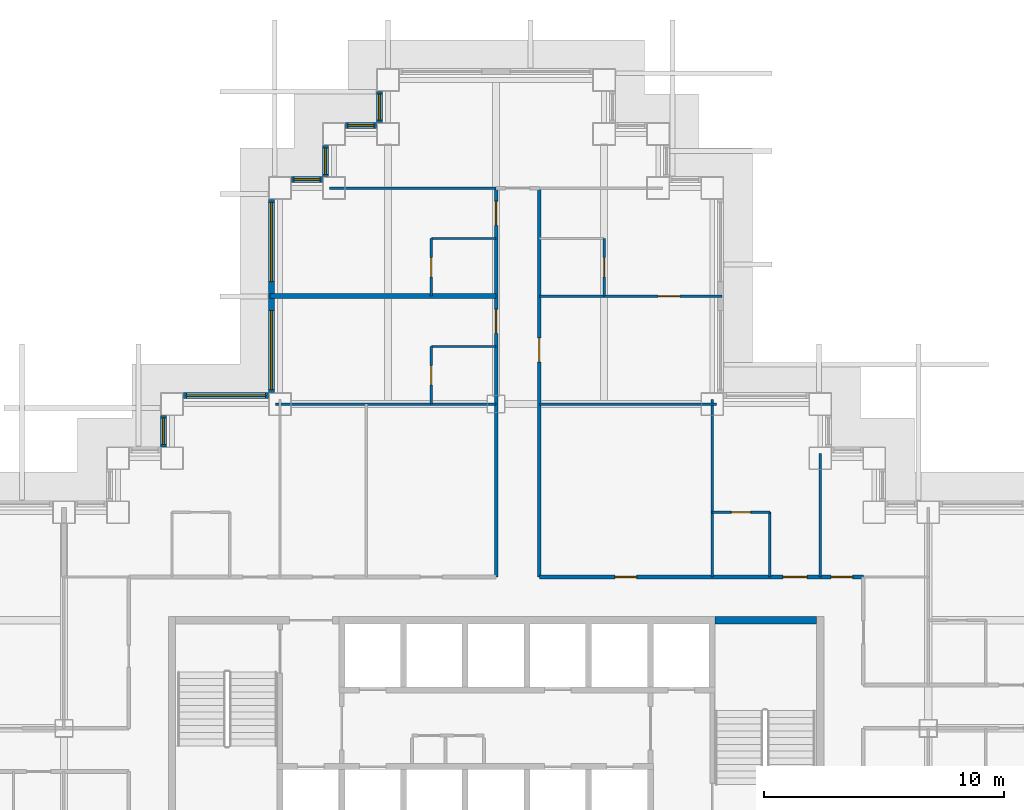
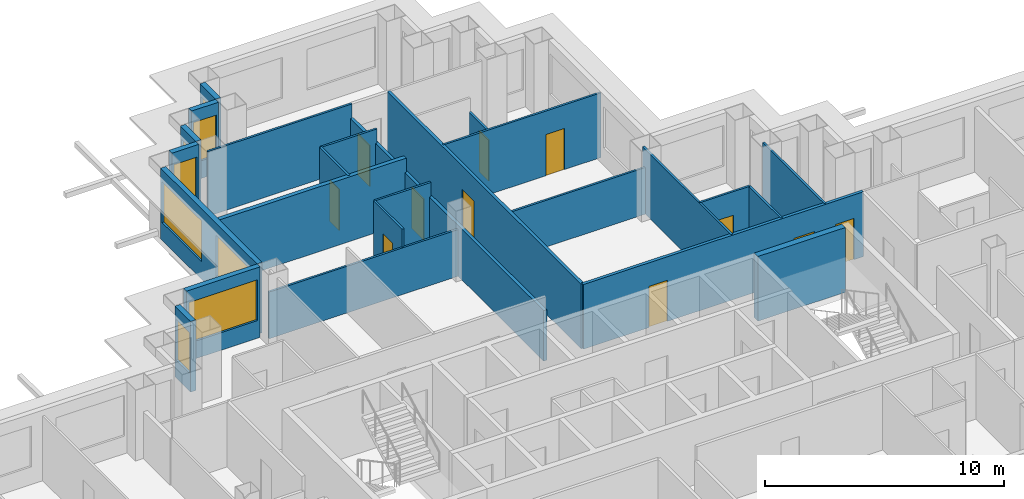
# One storey, part 8 of 15: 25 walls, 11 doors, 8 windows, 19 openings.
"""IFC4 building model written with IfcOpenShell, lengths in metres."""

import ifcopenshell
import ifcopenshell.guid

model = None  # the IFC model being written
_history = None  # IfcOwnerHistory: only IFC2X3 demands one
_inside = {}  # id of a spatial element -> (the spatial element, [elements in it])
_under = {}  # id of a project, library or spatial element -> (it, [spatial elements below it])
_declared = {}  # id of a project -> (the project, [libraries it declares])
_typed = {}  # id of a type object -> (the type object, [elements of that type])
_made_of = {}  # id of a material, layer set ... -> (it, [elements and type objects made of it])


def new_model(schema):
    """Start an empty IFC model of exactly this schema.

    Asked for "IFC4X3", IfcOpenShell would pick the latest addendum, in which some entities
    have other attributes; the version numbers below select the first issue.
    IFC2X3 requires an IfcOwnerHistory on every rooted entity: one is made here for all.
    """
    global model, _history
    if schema == "IFC4X3":
        model = ifcopenshell.file(schema_version=(4, 3, 0, 0))
    else:
        model = ifcopenshell.file(schema=schema)
    _inside.clear()
    _under.clear()
    _declared.clear()
    _typed.clear()
    _made_of.clear()
    _history = None
    if model.schema == "IFC2X3":
        org = make("IfcOrganization", Name="unknown")
        user = make(
            "IfcPersonAndOrganization",
            ThePerson=make("IfcPerson", FamilyName="unknown"),
            TheOrganization=org,
        )
        app = make(
            "IfcApplication",
            ApplicationDeveloper=org,
            Version="unknown",
            ApplicationFullName="unknown",
            ApplicationIdentifier="unknown",
        )
        _history = make(
            "IfcOwnerHistory",
            OwningUser=user,
            OwningApplication=app,
            ChangeAction="ADDED",
            CreationDate=0,
        )
    return model


def make(cls, **values):
    """One entity of the class cls with the attributes given. An attribute that is None is left unset."""
    return model.create_entity(
        cls, **{name: value for name, value in values.items() if value is not None}
    )


def rooted(cls, **values):
    """An entity with a GlobalId (a new one), such as an element, a storey or a relation."""
    return make(cls, GlobalId=ifcopenshell.guid.new(), OwnerHistory=_history, **values)


def si_unit(unit_type, name, prefix=None):
    """IfcSIUnit, for example si_unit("LENGTHUNIT", "METRE", prefix="MILLI")."""
    return make("IfcSIUnit", UnitType=unit_type, Prefix=prefix, Name=name)


def assignment(units):
    """IfcUnitAssignment: the units of a project."""
    return None if units is None else make("IfcUnitAssignment", Units=units)


def point(xyz):
    """IfcCartesianPoint."""
    return None if xyz is None else make("IfcCartesianPoint", Coordinates=xyz)


def direction(xyz):
    """IfcDirection."""
    return None if xyz is None else make("IfcDirection", DirectionRatios=xyz)


def frame(location, z_axis=None, x_axis=None):
    """IfcAxis2Placement3D, a coordinate frame: its origin and axes. An axis left out is left unset."""
    return make(
        "IfcAxis2Placement3D",
        Location=point(location),
        Axis=direction(z_axis),
        RefDirection=direction(x_axis),
    )


def frame_2d(location, x_axis=None):
    """IfcAxis2Placement2D, a coordinate frame in the plane: its origin and x axis."""
    return make(
        "IfcAxis2Placement2D", Location=point(location), RefDirection=direction(x_axis)
    )


def origin():
    """The frame at (0, 0, 0) with its axes left unset."""
    return frame((0.0, 0.0, 0.0))


def place(relative_to, where):
    """IfcLocalPlacement: puts the frame where relative to a parent placement (None: the world)."""
    return make(
        "IfcLocalPlacement", PlacementRelTo=relative_to, RelativePlacement=where
    )


def context(
    kind, dimensions, precision=None, world=None, true_north=None, identifier=None
):
    """IfcGeometricRepresentationContext, for example the 3D "Model" context."""
    return make(
        "IfcGeometricRepresentationContext",
        ContextIdentifier=identifier,
        ContextType=kind,
        CoordinateSpaceDimension=dimensions,
        Precision=precision,
        WorldCoordinateSystem=world,
        TrueNorth=true_north,
    )


def subcontext(parent, identifier, kind, view, scale=None):
    """IfcGeometricRepresentationSubContext, for example "Body" below "Model"."""
    return make(
        "IfcGeometricRepresentationSubContext",
        ContextIdentifier=identifier,
        ContextType=kind,
        ParentContext=parent,
        TargetScale=scale,
        TargetView=view,
    )


def project(units=None, contexts=None):
    """IfcProject with its units and contexts."""
    return rooted(
        "IfcProject",
        Name="project",
        RepresentationContexts=contexts,
        UnitsInContext=assignment(units),
    )


def spatial(cls, under=None, at=None, **own):
    """A site, building, storey or space (cls), placed at a placement, below another one or the project."""
    s = rooted(cls, ObjectPlacement=at, **own)
    if under is not None:
        _under.setdefault(under.id(), (under, []))[1].append(s)
    return s


def profile(cls, at=None, kind="AREA", **sizes):
    """A parametric profile (cls). Its sizes go by their IFC names, for example OverallWidth=200.0."""
    return make(cls, ProfileType=kind, Position=at, **sizes)


def rectangle(**sizes):
    """IfcRectangleProfileDef."""
    return profile("IfcRectangleProfileDef", **sizes)


def extrude(swept, where, along, depth):
    """IfcExtrudedAreaSolid: the profile swept, set in the frame where, extruded along a direction by depth."""
    return make(
        "IfcExtrudedAreaSolid",
        SweptArea=swept,
        Position=where,
        ExtrudedDirection=direction(along),
        Depth=depth,
    )


def shape(context_of_items, identifier, shape_type, items):
    """IfcShapeRepresentation: the items that make up one representation, for example the "Body"."""
    return make(
        "IfcShapeRepresentation",
        ContextOfItems=context_of_items,
        RepresentationIdentifier=identifier,
        RepresentationType=shape_type,
        Items=items,
    )


def material(Name=None, Category=None):
    """IfcMaterial."""
    return make("IfcMaterial", Name=Name, Category=Category)


def layer(
    of_material, thickness, ventilated=None, Name=None, Category=None, Priority=None
):
    """IfcMaterialLayer: one layer of a wall or slab, of a material (None: an air gap)."""
    return make(
        "IfcMaterialLayer",
        Material=of_material,
        LayerThickness=thickness,
        IsVentilated=ventilated,
        Name=Name,
        Category=Category,
        Priority=Priority,
    )


def layer_set(layers, Name=None):
    """IfcMaterialLayerSet."""
    return make("IfcMaterialLayerSet", MaterialLayers=layers, LayerSetName=Name)


def made_of(thing, what):
    """Note that an element or type object is made of a material, layer set ...; save() writes the relation."""
    if what is not None:
        _made_of.setdefault(what.id(), (what, []))[1].append(thing)
    return thing


def type_object(cls, material=None, **own):
    """A type object (cls), such as IfcWallType, which elements share."""
    return made_of(rooted(cls, **own), material)


def element(
    cls,
    number,
    at=None,
    inside=None,
    cuts=None,
    type_object=None,
    material=None,
    context=None,
    identifier="Body",
    shape_type=None,
    held_by="IfcProductDefinitionShape",
    body=None,
    shapes=None,
    **own,
):
    """One element of the class cls, such as IfcWall. Its Tag is "e" and its number.

    at: its placement. inside: the storey or other place that contains it. cuts: it is an
    opening in that element (IfcRelVoidsElement). A single representation is given by context,
    identifier, shape_type and body (its items); several are given by shapes. held_by: the class
    of the entity that holds the representations. save() writes the other relations.
    """
    e = rooted(cls, Tag="e%d" % number, ObjectPlacement=at, **own)
    if body is not None:
        shapes = [shape(context, identifier, shape_type, body)]
    if shapes is not None:
        e.Representation = make(held_by, Representations=shapes)
    if inside is not None:
        _inside.setdefault(inside.id(), (inside, []))[1].append(e)
    if cuts is not None:
        rooted(
            "IfcRelVoidsElement", RelatingBuildingElement=cuts, RelatedOpeningElement=e
        )
    if type_object is not None:
        _typed.setdefault(type_object.id(), (type_object, []))[1].append(e)
    return made_of(e, material)


def fill(opening, filler):
    """IfcRelFillsElement: the door or window that sits in an opening."""
    return rooted(
        "IfcRelFillsElement",
        RelatingOpeningElement=opening,
        RelatedBuildingElement=filler,
    )


def aggregate(whole, parts):
    """IfcRelAggregates: a whole, such as a stair, and the parts it consists of."""
    return rooted("IfcRelAggregates", RelatingObject=whole, RelatedObjects=parts)


def save(model, path):
    """Write the relations noted so far, then the file.

    IfcRelAggregates (storeys below a building ...), IfcRelContainedInSpatialStructure (elements
    in a storey), IfcRelDefinesByType, IfcRelAssociatesMaterial and IfcRelDeclares: one each for
    every whole, place, type object, material and project.
    """
    for whole, parts in _under.values():
        aggregate(whole, parts)
    for where, things in _inside.values():
        rooted(
            "IfcRelContainedInSpatialStructure",
            RelatedElements=things,
            RelatingStructure=where,
        )
    for kind, things in _typed.values():
        rooted("IfcRelDefinesByType", RelatedObjects=things, RelatingType=kind)
    for what, things in _made_of.values():
        rooted("IfcRelAssociatesMaterial", RelatedObjects=things, RelatingMaterial=what)
    for by, libraries in _declared.values():
        rooted("IfcRelDeclares", RelatingContext=by, RelatedDefinitions=libraries)
    model.write(path)


model = new_model("IFC4")

# Units and contexts
model_context = context("Model", 3, precision=1e-05, world=origin(), true_north=direction((0.0, 1.0)))
body_context = subcontext(model_context, "Body", "Model", "MODEL_VIEW")
ifc_project = project(units=[si_unit("LENGTHUNIT", "METRE"), si_unit("AREAUNIT", "SQUARE_METRE"), si_unit("VOLUMEUNIT", "CUBIC_METRE"), si_unit("PLANEANGLEUNIT", "RADIAN"), si_unit("MASSUNIT", "GRAM", prefix="KILO")], contexts=[model_context])

# Site, building, storey
site_placement = place(None, origin())
site = spatial("IfcSite", under=ifc_project, at=site_placement, CompositionType="ELEMENT")
building_placement = place(site_placement, origin())
building = spatial("IfcBuilding", under=site, at=building_placement, Name="Caravel Reach Hotel and Residences", CompositionType="ELEMENT")
storey_placement = place(building_placement, frame((0.0, 0.0, 81.60009765625)))
storey = spatial("IfcBuildingStorey", under=building, at=storey_placement, Name="L19", CompositionType="ELEMENT", Elevation=81.60009765625)

# Wall, opening, door
ifc_material_1 = material(Name="Gypsum board on steel stud", Category="steel")
ifc_layer_1 = layer(ifc_material_1, 0.10009765625)
ifc_layer_set_1 = layer_set([ifc_layer_1], Name="Bathroom pod wall 100 mm")
wall_type_1 = type_object("IfcWallType", Name="Bathroom pod wall 100 mm", PredefinedType="PARTITIONING", material=ifc_layer_set_1)
wall_1_placement = place(storey_placement, frame((40.5, 36.0, 0.0), z_axis=(0.0, 0.0, 1.0), x_axis=(1.0, 0.0, 0.0)))
wall_1 = element("IfcWall", 1, at=wall_1_placement, inside=storey, type_object=wall_type_1, Name="L19 wall w096", PredefinedType="PARTITIONING", context=body_context, shape_type="SweptSolid", body=[
    extrude(rectangle(XDim=2.39990234375, YDim=0.10009765625, at=frame_2d((1.199951171875, 0.0))), origin(), (0.0, 0.0, 1.0), 3.2998046875),
])
opening_1_placement = place(wall_1_placement, frame((0.800048828125, 0.0, 0.0)))
opening_1 = element("IfcOpeningElement", 2, at=opening_1_placement, cuts=wall_1, Name="Opening D19-050", PredefinedType="OPENING", context=body_context, shape_type="SweptSolid", body=[
    extrude(rectangle(XDim=0.800048828125, YDim=2.10009765625, at=frame_2d((0.39990234375, 1.050048828125))), frame((0.0, 0.06005859375, 0.0), z_axis=(0.0, -1.0, 0.0), x_axis=(1.0, 0.0, 0.0)), (0.0, 0.0, 1.0), 0.1201171875),
])
ifc_material_2 = material(Name="Timber and steel door leaf", Category="steel")
door_type_1 = type_object("IfcDoorType", Name="Bathroom door 800 x 2100", OperationType="SINGLE_SWING_LEFT", PredefinedType="DOOR", material=ifc_material_2)
door_1_placement = place(opening_1_placement, origin())
door_1 = element("IfcDoor", 3, at=door_1_placement, inside=storey, type_object=door_type_1, Name="door D19-050", OperationType="SINGLE_SWING_RIGHT", OverallHeight=2.10009765625, OverallWidth=0.800048828125, PredefinedType="DOOR", context=body_context, shape_type="SweptSolid", body=[
    extrude(rectangle(XDim=0.800048828125, YDim=2.10009765625, at=frame_2d((0.39990234375, 1.050048828125))), frame((0.0, 0.02490234375, 0.0), z_axis=(0.0, -1.0, 0.0), x_axis=(1.0, 0.0, 0.0)), (0.0, 0.0, 1.0), 0.050048828125),
])
fill(opening_1, door_1)

# Walls
for number, where, z_axis, x_axis, name in (
    (4, (28.800048828125, 42.89990234375, 0.0), (0.0, 0.0, 1.0), (1.0, 0.0, 0.0), "L19 wall w097"),
    (5, (28.800048828125, 47.39990234375, 0.0), (0.0, 0.0, 1.0), (1.0, 0.0, 0.0), "L19 wall w098"),
):
    element("IfcWall", number, at=place(storey_placement, frame(where, z_axis=z_axis, x_axis=x_axis)), inside=storey, type_object=wall_type_1, Name=name, PredefinedType="PARTITIONING", context=body_context, shape_type="SweptSolid", body=[
        extrude(rectangle(XDim=2.699951171875, YDim=0.10009765625, at=frame_2d((1.35009765625, 0.0))), origin(), (0.0, 0.0, 1.0), 3.2998046875),
    ])

# Wall, opening, door
wall_2_placement = place(storey_placement, frame((28.800048828125, 40.5, 0.0), z_axis=(0.0, 0.0, 1.0), x_axis=(0.0, 1.0, 0.0)))
wall_2 = element("IfcWall", 6, at=wall_2_placement, inside=storey, type_object=wall_type_1, Name="L19 wall w105", PredefinedType="PARTITIONING", context=body_context, shape_type="SweptSolid", body=[
    extrude(rectangle(XDim=2.39990234375, YDim=0.10009765625, at=frame_2d((1.199951171875, 0.0))), origin(), (0.0, 0.0, 1.0), 3.2998046875),
])
opening_2_placement = place(wall_2_placement, frame((0.800048828125, 0.0, 0.0)))
opening_2 = element("IfcOpeningElement", 7, at=opening_2_placement, cuts=wall_2, Name="Opening D19-032", PredefinedType="OPENING", context=body_context, shape_type="SweptSolid", body=[
    extrude(rectangle(XDim=0.800048828125, YDim=2.10009765625, at=frame_2d((0.39990234375, 1.050048828125))), frame((0.0, 0.06005859375, 0.0), z_axis=(0.0, -1.0, 0.0), x_axis=(1.0, 0.0, 0.0)), (0.0, 0.0, 1.0), 0.1201171875),
])
door_2_placement = place(opening_2_placement, origin())
door_2 = element("IfcDoor", 8, at=door_2_placement, inside=storey, type_object=door_type_1, Name="door D19-032", OperationType="SINGLE_SWING_RIGHT", OverallHeight=2.10009765625, OverallWidth=0.800048828125, PredefinedType="DOOR", context=body_context, shape_type="SweptSolid", body=[
    extrude(rectangle(XDim=0.800048828125, YDim=2.10009765625, at=frame_2d((0.39990234375, 1.050048828125))), frame((0.0, 0.02490234375, 0.0), z_axis=(0.0, -1.0, 0.0), x_axis=(1.0, 0.0, 0.0)), (0.0, 0.0, 1.0), 0.050048828125),
])
fill(opening_2, door_2)

wall_3_placement = place(storey_placement, frame((28.800048828125, 45.0, 0.0), z_axis=(0.0, 0.0, 1.0), x_axis=(0.0, 1.0, 0.0)))
wall_3 = element("IfcWall", 9, at=wall_3_placement, inside=storey, type_object=wall_type_1, Name="L19 wall w106", PredefinedType="PARTITIONING", context=body_context, shape_type="SweptSolid", body=[
    extrude(rectangle(XDim=2.39990234375, YDim=0.10009765625, at=frame_2d((1.199951171875, 0.0))), origin(), (0.0, 0.0, 1.0), 3.2998046875),
])
opening_3_placement = place(wall_3_placement, frame((0.800048828125, 0.0, 0.0)))
opening_3 = element("IfcOpeningElement", 10, at=opening_3_placement, cuts=wall_3, Name="Opening D19-034", PredefinedType="OPENING", context=body_context, shape_type="SweptSolid", body=[
    extrude(rectangle(XDim=0.800048828125, YDim=2.10009765625, at=frame_2d((0.39990234375, 1.050048828125))), frame((0.0, 0.06005859375, 0.0), z_axis=(0.0, -1.0, 0.0), x_axis=(1.0, 0.0, 0.0)), (0.0, 0.0, 1.0), 0.1201171875),
])
door_3_placement = place(opening_3_placement, origin())
door_3 = element("IfcDoor", 11, at=door_3_placement, inside=storey, type_object=door_type_1, Name="door D19-034", OperationType="SINGLE_SWING_RIGHT", OverallHeight=2.10009765625, OverallWidth=0.800048828125, PredefinedType="DOOR", context=body_context, shape_type="SweptSolid", body=[
    extrude(rectangle(XDim=0.800048828125, YDim=2.10009765625, at=frame_2d((0.39990234375, 1.050048828125))), frame((0.0, 0.02490234375, 0.0), z_axis=(0.0, -1.0, 0.0), x_axis=(1.0, 0.0, 0.0)), (0.0, 0.0, 1.0), 0.050048828125),
])
fill(opening_3, door_3)

wall_4_placement = place(storey_placement, frame((36.0, 45.0, 0.0), z_axis=(0.0, 0.0, 1.0), x_axis=(0.0, 1.0, 0.0)))
wall_4 = element("IfcWall", 12, at=wall_4_placement, inside=storey, type_object=wall_type_1, Name="L19 wall w108", PredefinedType="PARTITIONING", context=body_context, shape_type="SweptSolid", body=[
    extrude(rectangle(XDim=2.39990234375, YDim=0.10009765625, at=frame_2d((1.199951171875, 0.0))), origin(), (0.0, 0.0, 1.0), 2.579833984375),
])
opening_4_placement = place(wall_4_placement, frame((0.800048828125, 0.0, 0.0)))
opening_4 = element("IfcOpeningElement", 13, at=opening_4_placement, cuts=wall_4, Name="Opening D19-037", PredefinedType="OPENING", context=body_context, shape_type="SweptSolid", body=[
    extrude(rectangle(XDim=0.800048828125, YDim=2.10009765625, at=frame_2d((0.39990234375, 1.050048828125))), frame((0.0, 0.06005859375, 0.0), z_axis=(0.0, -1.0, 0.0), x_axis=(1.0, 0.0, 0.0)), (0.0, 0.0, 1.0), 0.1201171875),
])
door_4_placement = place(opening_4_placement, origin())
door_4 = element("IfcDoor", 14, at=door_4_placement, inside=storey, type_object=door_type_1, Name="door D19-037", OperationType="SINGLE_SWING_RIGHT", OverallHeight=2.10009765625, OverallWidth=0.800048828125, PredefinedType="DOOR", context=body_context, shape_type="SweptSolid", body=[
    extrude(rectangle(XDim=0.800048828125, YDim=2.10009765625, at=frame_2d((0.39990234375, 1.050048828125))), frame((0.0, 0.02490234375, 0.0), z_axis=(0.0, -1.0, 0.0), x_axis=(1.0, 0.0, 0.0)), (0.0, 0.0, 1.0), 0.050048828125),
])
fill(opening_4, door_4)

# Walls
wall_5_placement = place(storey_placement, frame((42.89990234375, 33.300048828125, 0.0), z_axis=(0.0, 0.0, 1.0), x_axis=(0.0, 1.0, 0.0)))
element("IfcWall", 15, at=wall_5_placement, inside=storey, type_object=wall_type_1, Name="L19 wall w109", PredefinedType="PARTITIONING", context=body_context, shape_type="SweptSolid", body=[
    extrude(rectangle(XDim=2.699951171875, YDim=0.10009765625, at=frame_2d((1.35009765625, 0.0))), origin(), (0.0, 0.0, 1.0), 3.2998046875),
])
ifc_material_3 = material(Name="Concrete C60", Category="concrete")
ifc_layer_2 = layer(ifc_material_3, 0.300048828125)
ifc_layer_set_2 = layer_set([ifc_layer_2], Name="Core wall 300 mm EI 120")
wall_type_2 = type_object("IfcWallType", Name="Core wall 300 mm EI 120", PredefinedType="SHEAR", material=ifc_layer_set_2)
wall_6_placement = place(storey_placement, frame((40.625, 31.5, 0.0), z_axis=(0.0, 0.0, 1.0), x_axis=(1.0, 0.0, 0.0)))
element("IfcWall", 16, at=wall_6_placement, inside=storey, type_object=wall_type_2, Name="L19 core wall N2", PredefinedType="SHEAR", context=body_context, shape_type="SweptSolid", body=[
    extrude(rectangle(XDim=4.22509765625, YDim=0.300048828125, at=frame_2d((2.112548828125, 0.0))), origin(), (0.0, 0.0, 1.0), 3.2998046875),
])

# Wall, openings, doors
ifc_material_4 = material(Name="Gypsum board on steel stud, fire-rated", Category="steel")
ifc_layer_3 = layer(ifc_material_4, 0.14990234375)
ifc_layer_set_3 = layer_set([ifc_layer_3], Name="Corridor wall 150 mm EI 60")
wall_type_3 = type_object("IfcWallType", Name="Corridor wall 150 mm EI 60", PredefinedType="PARTITIONING", material=ifc_layer_set_3)
wall_7_placement = place(storey_placement, frame((33.300048828125, 33.300048828125, 0.0), z_axis=(0.0, 0.0, 1.0), x_axis=(1.0, 0.0, 0.0)))
wall_7 = element("IfcWall", 17, at=wall_7_placement, inside=storey, type_object=wall_type_3, Name="L19 wall w023", PredefinedType="PARTITIONING", context=body_context, shape_type="SweptSolid", body=[
    extrude(rectangle(XDim=13.5, YDim=0.14990234375, at=frame_2d((6.75, 0.0))), origin(), (0.0, 0.0, 1.0), 3.2998046875),
])
opening_5_placement = place(wall_7_placement, frame((10.14990234375, 0.0, 0.0)))
opening_5 = element("IfcOpeningElement", 18, at=opening_5_placement, cuts=wall_7, Name="Opening D19-049", PredefinedType="OPENING", context=body_context, shape_type="SweptSolid", body=[
    extrude(rectangle(XDim=1.0, YDim=2.10009765625, at=frame_2d((0.5, 1.050048828125))), frame((0.0, 0.0849609375, 0.0), z_axis=(0.0, -1.0, 0.0), x_axis=(1.0, 0.0, 0.0)), (0.0, 0.0, 1.0), 0.169921875),
])
opening_6_placement = place(wall_7_placement, frame((12.14990234375, 0.0, 0.0)))
opening_6 = element("IfcOpeningElement", 19, at=opening_6_placement, cuts=wall_7, Name="Opening D19-051", PredefinedType="OPENING", context=body_context, shape_type="SweptSolid", body=[
    extrude(rectangle(XDim=0.89990234375, YDim=2.10009765625, at=frame_2d((0.449951171875, 1.050048828125))), frame((0.0, 0.0849609375, 0.0), z_axis=(0.0, -1.0, 0.0), x_axis=(1.0, 0.0, 0.0)), (0.0, 0.0, 1.0), 0.169921875),
])
opening_7_placement = place(wall_7_placement, frame((3.14990234375, 0.0, 0.0)))
opening_7 = element("IfcOpeningElement", 20, at=opening_7_placement, cuts=wall_7, Name="Opening D19-060", PredefinedType="OPENING", context=body_context, shape_type="SweptSolid", body=[
    extrude(rectangle(XDim=0.89990234375, YDim=2.10009765625, at=frame_2d((0.449951171875, 1.050048828125))), frame((0.0, 0.0849609375, 0.0), z_axis=(0.0, -1.0, 0.0), x_axis=(1.0, 0.0, 0.0)), (0.0, 0.0, 1.0), 0.169921875),
])
ifc_material_5 = material(Name="Timber and steel door leaf", Category="steel")
door_type_2 = type_object("IfcDoorType", Name="Door 900 x 2100 timber", OperationType="SINGLE_SWING_LEFT", PredefinedType="DOOR", material=ifc_material_5)
door_5_placement = place(opening_6_placement, origin())
door_5 = element("IfcDoor", 21, at=door_5_placement, inside=storey, type_object=door_type_2, Name="door D19-051", OperationType="SINGLE_SWING_RIGHT", OverallHeight=2.10009765625, OverallWidth=0.89990234375, PredefinedType="DOOR", context=body_context, shape_type="SweptSolid", body=[
    extrude(rectangle(XDim=0.89990234375, YDim=2.10009765625, at=frame_2d((0.449951171875, 1.050048828125))), frame((0.0, 0.02490234375, 0.0), z_axis=(0.0, -1.0, 0.0), x_axis=(1.0, 0.0, 0.0)), (0.0, 0.0, 1.0), 0.050048828125),
])
fill(opening_6, door_5)
door_6_placement = place(opening_7_placement, origin())
door_6 = element("IfcDoor", 22, at=door_6_placement, inside=storey, type_object=door_type_2, Name="door D19-060", OperationType="SINGLE_SWING_RIGHT", OverallHeight=2.10009765625, OverallWidth=0.89990234375, PredefinedType="DOOR", context=body_context, shape_type="SweptSolid", body=[
    extrude(rectangle(XDim=0.89990234375, YDim=2.10009765625, at=frame_2d((0.449951171875, 1.050048828125))), frame((0.0, 0.02490234375, 0.0), z_axis=(0.0, -1.0, 0.0), x_axis=(1.0, 0.0, 0.0)), (0.0, 0.0, 1.0), 0.050048828125),
])
fill(opening_7, door_6)
ifc_material_6 = material(Name="Steel fire door leaf", Category="steel")
door_type_3 = type_object("IfcDoorType", Name="Guest room door 1000 x 2100 EI 30", OperationType="SINGLE_SWING_LEFT", PredefinedType="DOOR", material=ifc_material_6)
door_7_placement = place(opening_5_placement, origin())
door_7 = element("IfcDoor", 23, at=door_7_placement, inside=storey, type_object=door_type_3, Name="door D19-049", OperationType="SINGLE_SWING_RIGHT", OverallHeight=2.10009765625, OverallWidth=1.0, PredefinedType="DOOR", context=body_context, shape_type="SweptSolid", body=[
    extrude(rectangle(XDim=1.0, YDim=2.10009765625, at=frame_2d((0.5, 1.050048828125))), frame((0.0, 0.02490234375, 0.0), z_axis=(0.0, -1.0, 0.0), x_axis=(1.0, 0.0, 0.0)), (0.0, 0.0, 1.0), 0.050048828125),
])
fill(opening_5, door_7)

wall_8_placement = place(storey_placement, frame((31.5, 33.300048828125, 0.0), z_axis=(0.0, 0.0, 1.0), x_axis=(0.0, 1.0, 0.0)))
wall_8 = element("IfcWall", 24, at=wall_8_placement, inside=storey, type_object=wall_type_3, Name="L19 wall w034", PredefinedType="PARTITIONING", context=body_context, shape_type="SweptSolid", body=[
    extrude(rectangle(XDim=16.199951171875, YDim=0.14990234375, at=frame_2d((8.10009765625, 0.0))), origin(), (0.0, 0.0, 1.0), 2.579833984375),
])
opening_8_placement = place(wall_8_placement, frame((10.14990234375, 0.0, 0.0)))
opening_8 = element("IfcOpeningElement", 25, at=opening_8_placement, cuts=wall_8, Name="Opening D19-031", PredefinedType="OPENING", context=body_context, shape_type="SweptSolid", body=[
    extrude(rectangle(XDim=1.0, YDim=2.10009765625, at=frame_2d((0.5, 1.050048828125))), frame((0.0, 0.0849609375, 0.0), z_axis=(0.0, -1.0, 0.0), x_axis=(1.0, 0.0, 0.0)), (0.0, 0.0, 1.0), 0.169921875),
])
opening_9_placement = place(wall_8_placement, frame((14.64990234375, 0.0, 0.0)))
opening_9 = element("IfcOpeningElement", 26, at=opening_9_placement, cuts=wall_8, Name="Opening D19-033", PredefinedType="OPENING", context=body_context, shape_type="SweptSolid", body=[
    extrude(rectangle(XDim=1.0, YDim=2.10009765625, at=frame_2d((0.5, 1.050048828125))), frame((0.0, 0.0849609375, 0.0), z_axis=(0.0, -1.0, 0.0), x_axis=(1.0, 0.0, 0.0)), (0.0, 0.0, 1.0), 0.169921875),
])
door_8_placement = place(opening_8_placement, origin())
door_8 = element("IfcDoor", 27, at=door_8_placement, inside=storey, type_object=door_type_3, Name="door D19-031", OperationType="SINGLE_SWING_RIGHT", OverallHeight=2.10009765625, OverallWidth=1.0, PredefinedType="DOOR", context=body_context, shape_type="SweptSolid", body=[
    extrude(rectangle(XDim=1.0, YDim=2.10009765625, at=frame_2d((0.5, 1.050048828125))), frame((0.0, 0.02490234375, 0.0), z_axis=(0.0, -1.0, 0.0), x_axis=(1.0, 0.0, 0.0)), (0.0, 0.0, 1.0), 0.050048828125),
])
fill(opening_8, door_8)
door_9_placement = place(opening_9_placement, origin())
door_9 = element("IfcDoor", 28, at=door_9_placement, inside=storey, type_object=door_type_3, Name="door D19-033", OperationType="SINGLE_SWING_RIGHT", OverallHeight=2.10009765625, OverallWidth=1.0, PredefinedType="DOOR", context=body_context, shape_type="SweptSolid", body=[
    extrude(rectangle(XDim=1.0, YDim=2.10009765625, at=frame_2d((0.5, 1.050048828125))), frame((0.0, 0.02490234375, 0.0), z_axis=(0.0, -1.0, 0.0), x_axis=(1.0, 0.0, 0.0)), (0.0, 0.0, 1.0), 0.050048828125),
])
fill(opening_9, door_9)

# Wall, opening, door
wall_9_placement = place(storey_placement, frame((33.300048828125, 33.300048828125, 0.0), z_axis=(0.0, 0.0, 1.0), x_axis=(0.0, 1.0, 0.0)))
wall_9 = element("IfcWall", 29, at=wall_9_placement, inside=storey, type_object=wall_type_3, Name="L19 wall w036", PredefinedType="PARTITIONING", context=body_context, shape_type="SweptSolid", body=[
    extrude(rectangle(XDim=16.199951171875, YDim=0.14990234375, at=frame_2d((8.10009765625, 0.0))), origin(), (0.0, 0.0, 1.0), 3.2998046875),
])
opening_10_placement = place(wall_9_placement, frame((8.949951171875, 0.0, 0.0)))
opening_10 = element("IfcOpeningElement", 30, at=opening_10_placement, cuts=wall_9, Name="Opening D19-035", PredefinedType="OPENING", context=body_context, shape_type="SweptSolid", body=[
    extrude(rectangle(XDim=1.0, YDim=2.10009765625, at=frame_2d((0.5, 1.050048828125))), frame((0.0, 0.0849609375, 0.0), z_axis=(0.0, -1.0, 0.0), x_axis=(1.0, 0.0, 0.0)), (0.0, 0.0, 1.0), 0.169921875),
])
door_10_placement = place(opening_10_placement, origin())
door_10 = element("IfcDoor", 31, at=door_10_placement, inside=storey, type_object=door_type_3, Name="door D19-035", OperationType="SINGLE_SWING_RIGHT", OverallHeight=2.10009765625, OverallWidth=1.0, PredefinedType="DOOR", context=body_context, shape_type="SweptSolid", body=[
    extrude(rectangle(XDim=1.0, YDim=2.10009765625, at=frame_2d((0.5, 1.050048828125))), frame((0.0, 0.02490234375, 0.0), z_axis=(0.0, -1.0, 0.0), x_axis=(1.0, 0.0, 0.0)), (0.0, 0.0, 1.0), 0.050048828125),
])
fill(opening_10, door_10)

# Wall, opening, window
ifc_material_7 = material(Name="Insulated rainscreen wall, aluminium cladding", Category="aluminium")
ifc_layer_4 = layer(ifc_material_7, 0.25)
ifc_layer_set_4 = layer_set([ifc_layer_4], Name="EW1 Tower rainscreen wall")
wall_type_4 = type_object("IfcWallType", Name="EW1 Tower rainscreen wall", PredefinedType="SOLIDWALL", material=ifc_layer_set_4)
wall_10_placement = place(storey_placement, frame((26.64990234375, 53.52490234375, 0.0), z_axis=(0.0, 0.0, 1.0), x_axis=(0.0, -1.0, 0.0)))
wall_10 = element("IfcWall", 32, at=wall_10_placement, inside=storey, type_object=wall_type_4, Name="External wall L19 W36.1", PredefinedType="SOLIDWALL", context=body_context, shape_type="SweptSolid", body=[
    extrude(rectangle(XDim=1.2998046875, YDim=0.25, at=frame_2d((0.64990234375, 0.0))), origin(), (0.0, 0.0, 1.0), 3.599853515625),
])
opening_11_placement = place(wall_10_placement, frame((0.10009765625, 0.0, 0.89990234375)))
opening_11 = element("IfcOpeningElement", 33, at=opening_11_placement, cuts=wall_10, Name="Opening WN5", PredefinedType="OPENING", context=body_context, shape_type="SweptSolid", body=[
    extrude(rectangle(XDim=1.10009765625, YDim=2.080078125, at=frame_2d((0.550048828125, 1.0400390625))), frame((0.0, 0.135009765625, 0.0), z_axis=(0.0, -1.0, 0.0), x_axis=(1.0, 0.0, 0.0)), (0.0, 0.0, 1.0), 0.27001953125),
])
ifc_material_8 = material(Name="Dark low-e glazing in black aluminium frame", Category="aluminium")
window_type_1 = type_object("IfcWindowType", Name="Hotel suite corner window 1100 x 2080", PartitioningType="SINGLE_PANEL", PredefinedType="WINDOW", material=ifc_material_8)
window_1_placement = place(opening_11_placement, origin())
window_1 = element("IfcWindow", 34, at=window_1_placement, inside=storey, type_object=window_type_1, Name="Window L19 W36.1.1", OverallHeight=2.080078125, OverallWidth=1.10009765625, PartitioningType="SINGLE_PANEL", PredefinedType="WINDOW", context=body_context, shape_type="SweptSolid", body=[
    extrude(rectangle(XDim=1.10009765625, YDim=2.080078125, at=frame_2d((0.550048828125, 1.0400390625))), frame((0.0, 0.030029296875, 0.0), z_axis=(0.0, -1.0, 0.0), x_axis=(1.0, 0.0, 0.0)), (0.0, 0.0, 1.0), 0.06005859375),
])
fill(opening_11, window_1)

wall_11_placement = place(storey_placement, frame((26.52490234375, 52.10009765625, 0.0), z_axis=(0.0, 0.0, 1.0), x_axis=(-1.0, 0.0, 0.0)))
wall_11 = element("IfcWall", 35, at=wall_11_placement, inside=storey, type_object=wall_type_4, Name="External wall L19 N37.1", PredefinedType="SOLIDWALL", context=body_context, shape_type="SweptSolid", body=[
    extrude(rectangle(XDim=1.2998046875, YDim=0.25, at=frame_2d((0.64990234375, 0.0))), origin(), (0.0, 0.0, 1.0), 3.599853515625),
])
opening_12_placement = place(wall_11_placement, frame((0.10009765625, 0.0, 0.89990234375)))
opening_12 = element("IfcOpeningElement", 36, at=opening_12_placement, cuts=wall_11, Name="Opening WN5", PredefinedType="OPENING", context=body_context, shape_type="SweptSolid", body=[
    extrude(rectangle(XDim=1.10009765625, YDim=2.080078125, at=frame_2d((0.550048828125, 1.0400390625))), frame((0.0, 0.135009765625, 0.0), z_axis=(0.0, -1.0, 0.0), x_axis=(1.0, 0.0, 0.0)), (0.0, 0.0, 1.0), 0.27001953125),
])
window_2_placement = place(opening_12_placement, origin())
window_2 = element("IfcWindow", 37, at=window_2_placement, inside=storey, type_object=window_type_1, Name="Window L19 N37.1.1", OverallHeight=2.080078125, OverallWidth=1.10009765625, PartitioningType="SINGLE_PANEL", PredefinedType="WINDOW", context=body_context, shape_type="SweptSolid", body=[
    extrude(rectangle(XDim=1.10009765625, YDim=2.080078125, at=frame_2d((0.550048828125, 1.0400390625))), frame((0.0, 0.030029296875, 0.0), z_axis=(0.0, -1.0, 0.0), x_axis=(1.0, 0.0, 0.0)), (0.0, 0.0, 1.0), 0.06005859375),
])
fill(opening_12, window_2)

wall_12_placement = place(storey_placement, frame((24.39990234375, 51.27490234375, 0.0), z_axis=(0.0, 0.0, 1.0), x_axis=(0.0, -1.0, 0.0)))
wall_12 = element("IfcWall", 38, at=wall_12_placement, inside=storey, type_object=wall_type_4, Name="External wall L19 W38.1", PredefinedType="SOLIDWALL", context=body_context, shape_type="SweptSolid", body=[
    extrude(rectangle(XDim=1.2998046875, YDim=0.25, at=frame_2d((0.64990234375, 0.0))), origin(), (0.0, 0.0, 1.0), 3.599853515625),
])
opening_13_placement = place(wall_12_placement, frame((0.10009765625, 0.0, 0.89990234375)))
opening_13 = element("IfcOpeningElement", 39, at=opening_13_placement, cuts=wall_12, Name="Opening WN5", PredefinedType="OPENING", context=body_context, shape_type="SweptSolid", body=[
    extrude(rectangle(XDim=1.10009765625, YDim=2.080078125, at=frame_2d((0.550048828125, 1.0400390625))), frame((0.0, 0.135009765625, 0.0), z_axis=(0.0, -1.0, 0.0), x_axis=(1.0, 0.0, 0.0)), (0.0, 0.0, 1.0), 0.27001953125),
])
window_3_placement = place(opening_13_placement, origin())
window_3 = element("IfcWindow", 40, at=window_3_placement, inside=storey, type_object=window_type_1, Name="Window L19 W38.1.1", OverallHeight=2.080078125, OverallWidth=1.10009765625, PartitioningType="SINGLE_PANEL", PredefinedType="WINDOW", context=body_context, shape_type="SweptSolid", body=[
    extrude(rectangle(XDim=1.10009765625, YDim=2.080078125, at=frame_2d((0.550048828125, 1.0400390625))), frame((0.0, 0.030029296875, 0.0), z_axis=(0.0, -1.0, 0.0), x_axis=(1.0, 0.0, 0.0)), (0.0, 0.0, 1.0), 0.06005859375),
])
fill(opening_13, window_3)

wall_13_placement = place(storey_placement, frame((24.27490234375, 49.85009765625, 0.0), z_axis=(0.0, 0.0, 1.0), x_axis=(-1.0, 0.0, 0.0)))
wall_13 = element("IfcWall", 41, at=wall_13_placement, inside=storey, type_object=wall_type_4, Name="External wall L19 N39.1", PredefinedType="SOLIDWALL", context=body_context, shape_type="SweptSolid", body=[
    extrude(rectangle(XDim=1.2998046875, YDim=0.25, at=frame_2d((0.64990234375, 0.0))), origin(), (0.0, 0.0, 1.0), 3.599853515625),
])
opening_14_placement = place(wall_13_placement, frame((0.10009765625, 0.0, 0.89990234375)))
opening_14 = element("IfcOpeningElement", 42, at=opening_14_placement, cuts=wall_13, Name="Opening WN5", PredefinedType="OPENING", context=body_context, shape_type="SweptSolid", body=[
    extrude(rectangle(XDim=1.10009765625, YDim=2.080078125, at=frame_2d((0.550048828125, 1.0400390625))), frame((0.0, 0.135009765625, 0.0), z_axis=(0.0, -1.0, 0.0), x_axis=(1.0, 0.0, 0.0)), (0.0, 0.0, 1.0), 0.27001953125),
])
window_4_placement = place(opening_14_placement, origin())
window_4 = element("IfcWindow", 43, at=window_4_placement, inside=storey, type_object=window_type_1, Name="Window L19 N39.1.1", OverallHeight=2.080078125, OverallWidth=1.10009765625, PartitioningType="SINGLE_PANEL", PredefinedType="WINDOW", context=body_context, shape_type="SweptSolid", body=[
    extrude(rectangle(XDim=1.10009765625, YDim=2.080078125, at=frame_2d((0.550048828125, 1.0400390625))), frame((0.0, 0.030029296875, 0.0), z_axis=(0.0, -1.0, 0.0), x_axis=(1.0, 0.0, 0.0)), (0.0, 0.0, 1.0), 0.06005859375),
])
fill(opening_14, window_4)

# Wall, openings, windows
wall_14_placement = place(storey_placement, frame((22.14990234375, 49.02490234375, 0.0), z_axis=(0.0, 0.0, 1.0), x_axis=(0.0, -1.0, 0.0)))
wall_14 = element("IfcWall", 44, at=wall_14_placement, inside=storey, type_object=wall_type_4, Name="External wall L19 W40.1", PredefinedType="SOLIDWALL", context=body_context, shape_type="SweptSolid", body=[
    extrude(rectangle(XDim=8.0498046875, YDim=0.25, at=frame_2d((4.02490234375, 0.0))), origin(), (0.0, 0.0, 1.0), 3.599853515625),
])
opening_15_placement = place(wall_14_placement, frame((0.125, 0.0, 0.89990234375)))
opening_15 = element("IfcOpeningElement", 45, at=opening_15_placement, cuts=wall_14, Name="Opening WN4", PredefinedType="OPENING", context=body_context, shape_type="SweptSolid", body=[
    extrude(rectangle(XDim=3.300048828125, YDim=2.080078125, at=frame_2d((1.64990234375, 1.0400390625))), frame((0.0, 0.135009765625, 0.0), z_axis=(0.0, -1.0, 0.0), x_axis=(1.0, 0.0, 0.0)), (0.0, 0.0, 1.0), 0.27001953125),
])
opening_16_placement = place(wall_14_placement, frame((4.625, 0.0, 0.89990234375)))
opening_16 = element("IfcOpeningElement", 46, at=opening_16_placement, cuts=wall_14, Name="Opening WN4", PredefinedType="OPENING", context=body_context, shape_type="SweptSolid", body=[
    extrude(rectangle(XDim=3.300048828125, YDim=2.080078125, at=frame_2d((1.64990234375, 1.0400390625))), frame((0.0, 0.135009765625, 0.0), z_axis=(0.0, -1.0, 0.0), x_axis=(1.0, 0.0, 0.0)), (0.0, 0.0, 1.0), 0.27001953125),
])
ifc_material_9 = material(Name="Dark low-e glazing in black aluminium frame", Category="aluminium")
window_type_2 = type_object("IfcWindowType", Name="Hotel guest room window 3300 x 2080", PartitioningType="SINGLE_PANEL", PredefinedType="WINDOW", material=ifc_material_9)
window_5_placement = place(opening_15_placement, origin())
window_5 = element("IfcWindow", 47, at=window_5_placement, inside=storey, type_object=window_type_2, Name="Window L19 W40.1.1", OverallHeight=2.080078125, OverallWidth=3.300048828125, PartitioningType="SINGLE_PANEL", PredefinedType="WINDOW", context=body_context, shape_type="SweptSolid", body=[
    extrude(rectangle(XDim=3.300048828125, YDim=2.080078125, at=frame_2d((1.64990234375, 1.0400390625))), frame((0.0, 0.030029296875, 0.0), z_axis=(0.0, -1.0, 0.0), x_axis=(1.0, 0.0, 0.0)), (0.0, 0.0, 1.0), 0.06005859375),
])
fill(opening_15, window_5)
window_6_placement = place(opening_16_placement, origin())
window_6 = element("IfcWindow", 48, at=window_6_placement, inside=storey, type_object=window_type_2, Name="Window L19 W40.1.2", OverallHeight=2.080078125, OverallWidth=3.300048828125, PartitioningType="SINGLE_PANEL", PredefinedType="WINDOW", context=body_context, shape_type="SweptSolid", body=[
    extrude(rectangle(XDim=3.300048828125, YDim=2.080078125, at=frame_2d((1.64990234375, 1.0400390625))), frame((0.0, 0.030029296875, 0.0), z_axis=(0.0, -1.0, 0.0), x_axis=(1.0, 0.0, 0.0)), (0.0, 0.0, 1.0), 0.06005859375),
])
fill(opening_16, window_6)

# Wall, opening, window
wall_15_placement = place(storey_placement, frame((22.02490234375, 40.85009765625, 0.0), z_axis=(0.0, 0.0, 1.0), x_axis=(-1.0, 0.0, 0.0)))
wall_15 = element("IfcWall", 49, at=wall_15_placement, inside=storey, type_object=wall_type_4, Name="External wall L19 N41.1", PredefinedType="SOLIDWALL", context=body_context, shape_type="SweptSolid", body=[
    extrude(rectangle(XDim=3.5498046875, YDim=0.25, at=frame_2d((1.77490234375, 0.0))), origin(), (0.0, 0.0, 1.0), 3.599853515625),
])
opening_17_placement = place(wall_15_placement, frame((0.125, 0.0, 0.89990234375)))
opening_17 = element("IfcOpeningElement", 50, at=opening_17_placement, cuts=wall_15, Name="Opening WN4", PredefinedType="OPENING", context=body_context, shape_type="SweptSolid", body=[
    extrude(rectangle(XDim=3.300048828125, YDim=2.080078125, at=frame_2d((1.64990234375, 1.0400390625))), frame((0.0, 0.135009765625, 0.0), z_axis=(0.0, -1.0, 0.0), x_axis=(1.0, 0.0, 0.0)), (0.0, 0.0, 1.0), 0.27001953125),
])
window_7_placement = place(opening_17_placement, origin())
window_7 = element("IfcWindow", 51, at=window_7_placement, inside=storey, type_object=window_type_2, Name="Window L19 N41.1.1", OverallHeight=2.080078125, OverallWidth=3.300048828125, PartitioningType="SINGLE_PANEL", PredefinedType="WINDOW", context=body_context, shape_type="SweptSolid", body=[
    extrude(rectangle(XDim=3.300048828125, YDim=2.080078125, at=frame_2d((1.64990234375, 1.0400390625))), frame((0.0, 0.030029296875, 0.0), z_axis=(0.0, -1.0, 0.0), x_axis=(1.0, 0.0, 0.0)), (0.0, 0.0, 1.0), 0.06005859375),
])
fill(opening_17, window_7)

wall_16_placement = place(storey_placement, frame((17.64990234375, 40.02490234375, 0.0), z_axis=(0.0, 0.0, 1.0), x_axis=(0.0, -1.0, 0.0)))
wall_16 = element("IfcWall", 52, at=wall_16_placement, inside=storey, type_object=wall_type_4, Name="External wall L19 W42.1", PredefinedType="SOLIDWALL", context=body_context, shape_type="SweptSolid", body=[
    extrude(rectangle(XDim=1.2998046875, YDim=0.25, at=frame_2d((0.64990234375, 0.0))), origin(), (0.0, 0.0, 1.0), 3.599853515625),
])
opening_18_placement = place(wall_16_placement, frame((0.10009765625, 0.0, 0.89990234375)))
opening_18 = element("IfcOpeningElement", 53, at=opening_18_placement, cuts=wall_16, Name="Opening WN5", PredefinedType="OPENING", context=body_context, shape_type="SweptSolid", body=[
    extrude(rectangle(XDim=1.10009765625, YDim=2.080078125, at=frame_2d((0.550048828125, 1.0400390625))), frame((0.0, 0.135009765625, 0.0), z_axis=(0.0, -1.0, 0.0), x_axis=(1.0, 0.0, 0.0)), (0.0, 0.0, 1.0), 0.27001953125),
])
window_8_placement = place(opening_18_placement, origin())
window_8 = element("IfcWindow", 54, at=window_8_placement, inside=storey, type_object=window_type_1, Name="Window L19 W42.1.1", OverallHeight=2.080078125, OverallWidth=1.10009765625, PartitioningType="SINGLE_PANEL", PredefinedType="WINDOW", context=body_context, shape_type="SweptSolid", body=[
    extrude(rectangle(XDim=1.10009765625, YDim=2.080078125, at=frame_2d((0.550048828125, 1.0400390625))), frame((0.0, 0.030029296875, 0.0), z_axis=(0.0, -1.0, 0.0), x_axis=(1.0, 0.0, 0.0)), (0.0, 0.0, 1.0), 0.06005859375),
])
fill(opening_18, window_8)

# Walls
ifc_material_10 = material(Name="Gypsum board on steel stud", Category="steel")
ifc_layer_5 = layer(ifc_material_10, 0.10009765625)
ifc_layer_set_5 = layer_set([ifc_layer_5], Name="Partition 100 mm")
wall_type_5 = type_object("IfcWallType", Name="Partition 100 mm", PredefinedType="PARTITIONING", material=ifc_layer_set_5)
wall_17_placement = place(storey_placement, frame((22.31005859375, 40.5, 0.0), z_axis=(0.0, 0.0, 1.0), x_axis=(1.0, 0.0, 0.0)))
element("IfcWall", 55, at=wall_17_placement, inside=storey, type_object=wall_type_5, Name="L19 wall w049", PredefinedType="PARTITIONING", context=body_context, shape_type="SweptSolid", body=[
    extrude(rectangle(XDim=9.18994140625, YDim=0.10009765625, at=frame_2d((4.594970703125, 0.0))), origin(), (0.0, 0.0, 1.0), 2.3798828125),
])
wall_18_placement = place(storey_placement, frame((33.300048828125, 40.5, 0.0), z_axis=(0.0, 0.0, 1.0), x_axis=(1.0, 0.0, 0.0)))
element("IfcWall", 56, at=wall_18_placement, inside=storey, type_object=wall_type_5, Name="L19 wall w051", PredefinedType="PARTITIONING", context=body_context, shape_type="SweptSolid", body=[
    extrude(rectangle(XDim=7.389892578125, YDim=0.10009765625, at=frame_2d((3.69482421875, 0.0))), origin(), (0.0, 0.0, 1.0), 2.3798828125),
])

# Wall, opening, door
wall_19_placement = place(storey_placement, frame((33.300048828125, 45.0, 0.0), z_axis=(0.0, 0.0, 1.0), x_axis=(1.0, 0.0, 0.0)))
wall_19 = element("IfcWall", 57, at=wall_19_placement, inside=storey, type_object=wall_type_5, Name="L19 wall w052", PredefinedType="PARTITIONING", context=body_context, shape_type="SweptSolid", body=[
    extrude(rectangle(XDim=7.614990234375, YDim=0.10009765625, at=frame_2d((3.8076171875, 0.0))), origin(), (0.0, 0.0, 1.0), 3.2998046875),
])
opening_19_placement = place(wall_19_placement, frame((4.949951171875, 0.0, 0.0)))
opening_19 = element("IfcOpeningElement", 58, at=opening_19_placement, cuts=wall_19, Name="Opening D19-036", PredefinedType="OPENING", context=body_context, shape_type="SweptSolid", body=[
    extrude(rectangle(XDim=0.89990234375, YDim=2.10009765625, at=frame_2d((0.449951171875, 1.050048828125))), frame((0.0, 0.06005859375, 0.0), z_axis=(0.0, -1.0, 0.0), x_axis=(1.0, 0.0, 0.0)), (0.0, 0.0, 1.0), 0.1201171875),
])
door_11_placement = place(opening_19_placement, origin())
door_11 = element("IfcDoor", 59, at=door_11_placement, inside=storey, type_object=door_type_2, Name="door D19-036", OperationType="SINGLE_SWING_RIGHT", OverallHeight=2.10009765625, OverallWidth=0.89990234375, PredefinedType="DOOR", context=body_context, shape_type="SweptSolid", body=[
    extrude(rectangle(XDim=0.89990234375, YDim=2.10009765625, at=frame_2d((0.449951171875, 1.050048828125))), frame((0.0, 0.02490234375, 0.0), z_axis=(0.0, -1.0, 0.0), x_axis=(1.0, 0.0, 0.0)), (0.0, 0.0, 1.0), 0.050048828125),
])
fill(opening_19, door_11)

# Walls
wall_20_placement = place(storey_placement, frame((24.56005859375, 49.5, 0.0), z_axis=(0.0, 0.0, 1.0), x_axis=(1.0, 0.0, 0.0)))
element("IfcWall", 60, at=wall_20_placement, inside=storey, type_object=wall_type_5, Name="L19 wall w053", PredefinedType="PARTITIONING", context=body_context, shape_type="SweptSolid", body=[
    extrude(rectangle(XDim=6.93994140625, YDim=0.10009765625, at=frame_2d((3.469970703125, 0.0))), origin(), (0.0, 0.0, 1.0), 3.2998046875),
])
wall_21_placement = place(storey_placement, frame((40.5, 33.300048828125, 0.0), z_axis=(0.0, 0.0, 1.0), x_axis=(0.0, 1.0, 0.0)))
element("IfcWall", 61, at=wall_21_placement, inside=storey, type_object=wall_type_5, Name="L19 wall w066", PredefinedType="PARTITIONING", context=body_context, shape_type="SweptSolid", body=[
    extrude(rectangle(XDim=7.389892578125, YDim=0.10009765625, at=frame_2d((3.69482421875, 0.0))), origin(), (0.0, 0.0, 1.0), 3.2998046875),
])
wall_22_placement = place(storey_placement, frame((45.0, 33.300048828125, 0.0), z_axis=(0.0, 0.0, 1.0), x_axis=(0.0, 1.0, 0.0)))
element("IfcWall", 62, at=wall_22_placement, inside=storey, type_object=wall_type_5, Name="L19 wall w068", PredefinedType="PARTITIONING", context=body_context, shape_type="SweptSolid", body=[
    extrude(rectangle(XDim=5.139892578125, YDim=0.10009765625, at=frame_2d((2.56982421875, 0.0))), origin(), (0.0, 0.0, 1.0), 3.2998046875),
])
ifc_material_11 = material(Name="Autoclaved aerated block wall")
ifc_layer_6 = layer(ifc_material_11, 0.199951171875)
ifc_layer_set_6 = layer_set([ifc_layer_6], Name="Party wall 200 mm EI 60")
wall_type_6 = type_object("IfcWallType", Name="Party wall 200 mm EI 60", PredefinedType="PARTITIONING", material=ifc_layer_set_6)
wall_23_placement = place(storey_placement, frame((22.0849609375, 45.0, 0.0), z_axis=(0.0, 0.0, 1.0), x_axis=(1.0, 0.0, 0.0)))
element("IfcWall", 63, at=wall_23_placement, inside=storey, type_object=wall_type_6, Name="L19 wall w075", PredefinedType="PARTITIONING", context=body_context, shape_type="SweptSolid", body=[
    extrude(rectangle(XDim=9.4150390625, YDim=0.199951171875, at=frame_2d((4.70751953125, 0.0))), origin(), (0.0, 0.0, 1.0), 3.2998046875),
])

save(model, "model.ifc")
